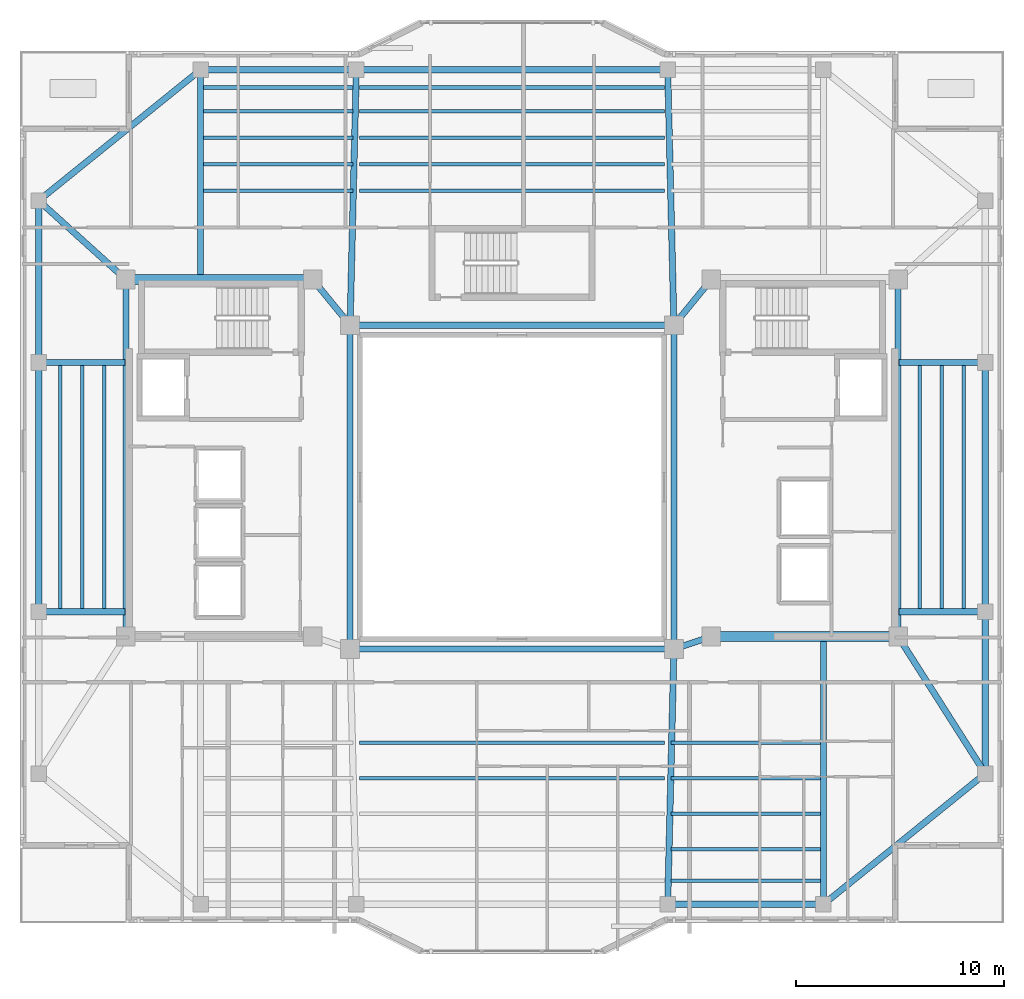
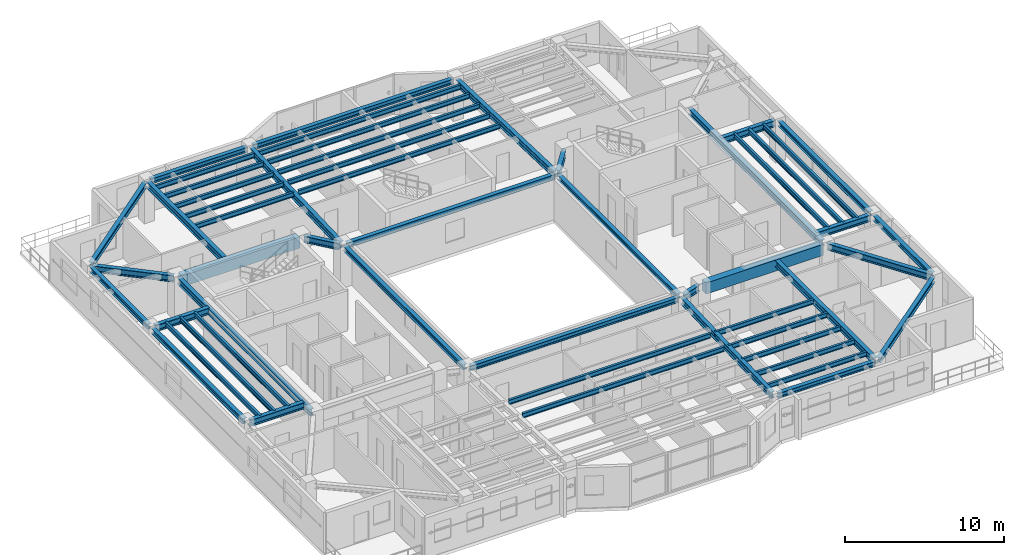
# One storey, part 3 of 15: 54 beams.
"""IFC4 building model written with IfcOpenShell, lengths in metres."""

from ifc_helpers import new_model, si_unit, direction, frame, origin, origin_2d, place, context, subcontext, project, spatial, rectangle, i_section, extrude, material, material_profile, profile_set, type_object, element, save


model = new_model("IFC4")

# Units and contexts
model_context = context("Model", 3, precision=1e-05, world=origin(), true_north=direction((0.0, 1.0)))
body_context = subcontext(model_context, "Body", "Model", "MODEL_VIEW")
ifc_project = project(units=[si_unit("LENGTHUNIT", "METRE"), si_unit("AREAUNIT", "SQUARE_METRE"), si_unit("VOLUMEUNIT", "CUBIC_METRE"), si_unit("PLANEANGLEUNIT", "RADIAN"), si_unit("MASSUNIT", "GRAM", prefix="KILO")], contexts=[model_context])

# Site, building, storey
site_placement = place(None, origin())
site = spatial("IfcSite", under=ifc_project, at=site_placement, CompositionType="ELEMENT")
building_placement = place(site_placement, origin())
building = spatial("IfcBuilding", under=site, at=building_placement, Name="Tarnavaz Court Tower", CompositionType="ELEMENT")
storey_placement = place(building_placement, frame((0.0, 0.0, 186.89990234375)))
storey = spatial("IfcBuildingStorey", under=building, at=storey_placement, Name="L50", CompositionType="ELEMENT", Elevation=186.89990234375)

# Beams
ifc_material_1 = material(Name="Concrete C50/60", Category="concrete")
ifc_material_profile_1 = material_profile(ifc_material_1, rectangle(XDim=0.5, YDim=0.85009765625, at=origin_2d()), Name="RC 500X850")
ifc_profile_set_1 = profile_set([ifc_material_profile_1], Name="Concrete C50/60")
beam_type_1 = type_object("IfcBeamType", Name="BM-CB850", PredefinedType="LINTEL", material=ifc_profile_set_1)
for number, where, z_axis, x_axis, name in (
    (1, (-18.3798828125, 10.0, 2.675048828125), (1.0, 0.0, 0.0), (0.0, 1.0, 0.0), "L50 Beam IN-CW-NO-CW-NI"),
    (2, (18.3798828125, -7.199951171875, 2.675048828125), (-1.0, 0.0, 0.0), (0.0, -1.0, 0.0), "L50 Beam IN-CE-SO-CE-SI"),
):
    element("IfcBeam", number, at=place(storey_placement, frame(where, z_axis=z_axis, x_axis=x_axis)), inside=storey, type_object=beam_type_1, Name=name, PredefinedType="LINTEL", context=body_context, shape_type="SweptSolid", body=[
        extrude(rectangle(XDim=0.5, YDim=0.85009765625, at=origin_2d()), origin(), (0.0, 0.0, 1.0), 8.559814453125),
    ])
ifc_material_2 = material(Name="Steel S355", Category="steel")
ifc_material_profile_2 = material_profile(ifc_material_2, i_section(OverallWidth=0.300048828125, OverallDepth=0.5, WebThickness=0.014404296875, FlangeThickness=0.028076171875, FilletRadius=0.027099609375, at=origin_2d()), Name="HEB 500")
ifc_profile_set_2 = profile_set([ifc_material_profile_2], Name="Steel S355")
beam_type_2 = type_object("IfcBeamType", Name="BM-G-HEB500", PredefinedType="USERDEFINED", material=ifc_profile_set_2)
beam_1_placement = place(storey_placement, frame((9.391357421875, -7.26953125, 2.85009765625), z_axis=(-0.948666544706, -0.316278021615, 0.0), x_axis=(0.316278021615, -0.948666544706, 0.0)))
element("IfcBeam", 3, at=beam_1_placement, inside=storey, type_object=beam_type_2, Name="L50 Beam IN-CE-SI-IW-SE", ObjectType="GIRDER", PredefinedType="USERDEFINED", context=body_context, shape_type="SweptSolid", body=[
    extrude(i_section(OverallWidth=0.300048828125, OverallDepth=0.5, WebThickness=0.014404296875, FlangeThickness=0.028076171875, FilletRadius=0.027099609375, at=origin_2d()), origin(), (0.0, 0.0, 1.0), 1.457275390625),
])
for number, where, z_axis, x_axis, name in (
    (4, (-9.460693359375, 9.82958984375, 2.85009765625), (0.633282058357, -0.773921077735, 0.0), (0.773921077735, 0.633282058357, 0.0), "L50 Beam IN-CW-NI-IW-NW"),
    (5, (9.460693359375, 9.82958984375, 2.85009765625), (-0.633282058357, -0.773921077735, 0.0), (0.773921077735, -0.633282058357, 0.0), "L50 Beam IN-CE-NI-IW-NE"),
):
    element("IfcBeam", number, at=place(storey_placement, frame(where, z_axis=z_axis, x_axis=x_axis)), inside=storey, type_object=beam_type_2, Name=name, ObjectType="GIRDER", PredefinedType="USERDEFINED", context=body_context, shape_type="SweptSolid", body=[
        extrude(i_section(OverallWidth=0.300048828125, OverallDepth=0.5, WebThickness=0.014404296875, FlangeThickness=0.028076171875, FilletRadius=0.027099609375, at=origin_2d()), origin(), (0.0, 0.0, 1.0), 2.402587890625),
    ])
for number, where, z_axis, x_axis, name in (
    (6, (-18.60009765625, -6.97998046875, 2.85009765625), (0.0, 1.0, 0.0), (-1.0, 0.0, 0.0), "L50 Beam IN-CW-SO-CW-NO"),
    (7, (18.60009765625, -6.97998046875, 2.85009765625), (0.0, 1.0, 0.0), (-1.0, 0.0, 0.0), "L50 Beam IN-CE-SO-CE-NO"),
):
    element("IfcBeam", number, at=place(storey_placement, frame(where, z_axis=z_axis, x_axis=x_axis)), inside=storey, type_object=beam_type_2, Name=name, ObjectType="GIRDER", PredefinedType="USERDEFINED", context=body_context, shape_type="SweptSolid", body=[
        extrude(i_section(OverallWidth=0.300048828125, OverallDepth=0.5, WebThickness=0.014404296875, FlangeThickness=0.028076171875, FilletRadius=0.027099609375, at=origin_2d()), origin(), (0.0, 0.0, 1.0), 16.760009765625),
    ])
beam_2_placement = place(storey_placement, frame((-15.0, 10.0400390625, 2.85009765625), z_axis=(0.0, 1.0, 0.0), x_axis=(-1.0, 0.0, 0.0)))
element("IfcBeam", 8, at=beam_2_placement, inside=storey, type_object=beam_type_2, Name="L50 Beam RG-01", ObjectType="GIRDER", PredefinedType="USERDEFINED", context=body_context, shape_type="SweptSolid", body=[
    extrude(i_section(OverallWidth=0.300048828125, OverallDepth=0.5, WebThickness=0.014404296875, FlangeThickness=0.028076171875, FilletRadius=0.027099609375, at=origin_2d()), origin(), (0.0, 0.0, 1.0), 9.83984375),
])
for number, where, z_axis, x_axis, name in (
    (9, (-7.794677734375, 8.02001953125, 2.85009765625), (0.024386002211, 0.99970261723, 0.0), (-0.99970261723, 0.024386002211, 0.0), "L50 Beam RG-02"),
    (10, (7.794677734375, 8.02001953125, 2.85009765625), (-0.024386002211, 0.99970261723, 0.0), (-0.99970261723, -0.024386002211, 0.0), "L50 Beam RG-03"),
    (11, (7.794677734375, -8.02001953125, 2.85009765625), (-0.024386002211, -0.99970261723, 0.0), (0.99970261723, -0.024386002211, 0.0), "L50 Beam RG-07"),
):
    element("IfcBeam", number, at=place(storey_placement, frame(where, z_axis=z_axis, x_axis=x_axis)), inside=storey, type_object=beam_type_2, Name=name, ObjectType="GIRDER", PredefinedType="USERDEFINED", context=body_context, shape_type="SweptSolid", body=[
        extrude(i_section(OverallWidth=0.300048828125, OverallDepth=0.5, WebThickness=0.014404296875, FlangeThickness=0.028076171875, FilletRadius=0.027099609375, at=origin_2d()), origin(), (0.0, 0.0, 1.0), 11.863525390625),
    ])
beam_3_placement = place(storey_placement, frame((15.0, -7.239990234375, 2.85009765625), z_axis=(0.0, -1.0, 0.0), x_axis=(1.0, 0.0, 0.0)))
element("IfcBeam", 12, at=beam_3_placement, inside=storey, type_object=beam_type_2, Name="L50 Beam RG-08", ObjectType="GIRDER", PredefinedType="USERDEFINED", context=body_context, shape_type="SweptSolid", body=[
    extrude(i_section(OverallWidth=0.300048828125, OverallDepth=0.5, WebThickness=0.014404296875, FlangeThickness=0.028076171875, FilletRadius=0.027099609375, at=origin_2d()), origin(), (0.0, 0.0, 1.0), 12.639892578125),
])
for number, where, z_axis, x_axis, name in (
    (13, (18.639892578125, -6.0, 2.85009765625), (1.0, 0.0, 0.0), (0.0, 1.0, 0.0), "L50 Beam RG-09"),
    (14, (18.639892578125, 6.0, 2.85009765625), (1.0, 0.0, 0.0), (0.0, 1.0, 0.0), "L50 Beam RG-10"),
):
    element("IfcBeam", number, at=place(storey_placement, frame(where, z_axis=z_axis, x_axis=x_axis)), inside=storey, type_object=beam_type_2, Name=name, ObjectType="GIRDER", PredefinedType="USERDEFINED", context=body_context, shape_type="SweptSolid", body=[
        extrude(i_section(OverallWidth=0.300048828125, OverallDepth=0.5, WebThickness=0.014404296875, FlangeThickness=0.028076171875, FilletRadius=0.027099609375, at=origin_2d()), origin(), (0.0, 0.0, 1.0), 3.940185546875),
    ])
beam_4_placement = place(storey_placement, frame((18.718017578125, -7.385498046875, 2.85009765625), z_axis=(0.536871212964, -0.843664210863, 0.0), x_axis=(0.843664210863, 0.536871212964, 0.0)))
element("IfcBeam", 15, at=beam_4_placement, inside=storey, type_object=beam_type_2, Name="L50 Beam RG-11", ObjectType="GIRDER", PredefinedType="USERDEFINED", context=body_context, shape_type="SweptSolid", body=[
    extrude(i_section(OverallWidth=0.300048828125, OverallDepth=0.5, WebThickness=0.014404296875, FlangeThickness=0.028076171875, FilletRadius=0.027099609375, at=origin_2d()), origin(), (0.0, 0.0, 1.0), 7.38330078125),
])
for number, where, z_axis, x_axis, name in (
    (16, (-18.639892578125, -6.0, 2.85009765625), (-1.0, 0.0, 0.0), (0.0, -1.0, 0.0), "L50 Beam RG-13"),
    (17, (-18.639892578125, 6.0, 2.85009765625), (-1.0, 0.0, 0.0), (0.0, -1.0, 0.0), "L50 Beam RG-14"),
):
    element("IfcBeam", number, at=place(storey_placement, frame(where, z_axis=z_axis, x_axis=x_axis)), inside=storey, type_object=beam_type_2, Name=name, ObjectType="GIRDER", PredefinedType="USERDEFINED", context=body_context, shape_type="SweptSolid", body=[
        extrude(i_section(OverallWidth=0.300048828125, OverallDepth=0.5, WebThickness=0.014404296875, FlangeThickness=0.028076171875, FilletRadius=0.027099609375, at=origin_2d()), origin(), (0.0, 0.0, 1.0), 3.940185546875),
    ])
beam_5_placement = place(storey_placement, frame((-18.76318359375, 10.147705078125, 2.85009765625), z_axis=(-0.741555708494, 0.670891296113, 0.0), x_axis=(-0.670891296113, -0.741555708494, 0.0)))
element("IfcBeam", 18, at=beam_5_placement, inside=storey, type_object=beam_type_2, Name="L50 Beam RG-16", ObjectType="GIRDER", PredefinedType="USERDEFINED", context=body_context, shape_type="SweptSolid", body=[
    extrude(i_section(OverallWidth=0.300048828125, OverallDepth=0.5, WebThickness=0.014404296875, FlangeThickness=0.028076171875, FilletRadius=0.027099609375, at=origin_2d()), origin(), (0.0, 0.0, 1.0), 5.223876953125),
])
ifc_material_profile_3 = material_profile(ifc_material_2, i_section(OverallWidth=0.169921875, OverallDepth=0.360107421875, WebThickness=0.008056640625, FlangeThickness=0.0126953125, FilletRadius=0.01806640625, at=origin_2d()), Name="IPE 360")
ifc_profile_set_3 = profile_set([ifc_material_profile_3], Name="Steel S355")
beam_type_3 = type_object("IfcBeamType", Name="BM-J-IPE360", PredefinedType="JOIST", material=ifc_profile_set_3)
beam_6_placement = place(storey_placement, frame((-14.85009765625, 14.278076171875, 2.920166015625), z_axis=(1.0, 0.0, 0.0), x_axis=(0.0, 1.0, 0.0)))
element("IfcBeam", 19, at=beam_6_placement, inside=storey, type_object=beam_type_3, Name="L50 Beam JN1-1", PredefinedType="JOIST", context=body_context, shape_type="SweptSolid", body=[
    extrude(i_section(OverallWidth=0.169921875, OverallDepth=0.360107421875, WebThickness=0.008056640625, FlangeThickness=0.0126953125, FilletRadius=0.01806640625, at=origin_2d()), origin(), (0.0, 0.0, 1.0), 7.2001953125),
])
for number, where, z_axis, x_axis, name in (
    (20, (-7.35009765625, 14.278076171875, 2.920166015625), (1.0, 0.0, 0.0), (0.0, 1.0, 0.0), "L50 Beam JN1-2"),
    (21, (-7.35009765625, -12.31005859375, 2.920166015625), (1.0, 0.0, 0.0), (0.0, 1.0, 0.0), "L50 Beam JS1-2"),
):
    element("IfcBeam", number, at=place(storey_placement, frame(where, z_axis=z_axis, x_axis=x_axis)), inside=storey, type_object=beam_type_3, Name=name, PredefinedType="JOIST", context=body_context, shape_type="SweptSolid", body=[
        extrude(i_section(OverallWidth=0.169921875, OverallDepth=0.360107421875, WebThickness=0.008056640625, FlangeThickness=0.0126953125, FilletRadius=0.01806640625, at=origin_2d()), origin(), (0.0, 0.0, 1.0), 14.7001953125),
    ])
for number, where, z_axis, x_axis, name in (
    (22, (7.64990234375, -12.31005859375, 2.920166015625), (1.0, 0.0, 0.0), (0.0, 1.0, 0.0), "L50 Beam JS1-3"),
    (23, (-14.85009765625, 15.555908203125, 2.920166015625), (1.0, 0.0, 0.0), (0.0, 1.0, 0.0), "L50 Beam JN2-1"),
):
    element("IfcBeam", number, at=place(storey_placement, frame(where, z_axis=z_axis, x_axis=x_axis)), inside=storey, type_object=beam_type_3, Name=name, PredefinedType="JOIST", context=body_context, shape_type="SweptSolid", body=[
        extrude(i_section(OverallWidth=0.169921875, OverallDepth=0.360107421875, WebThickness=0.008056640625, FlangeThickness=0.0126953125, FilletRadius=0.01806640625, at=origin_2d()), origin(), (0.0, 0.0, 1.0), 7.2001953125),
    ])
for number, where, z_axis, x_axis, name in (
    (24, (-7.35009765625, 15.555908203125, 2.920166015625), (1.0, 0.0, 0.0), (0.0, 1.0, 0.0), "L50 Beam JN2-2"),
    (25, (-7.35009765625, -14.02001953125, 2.920166015625), (1.0, 0.0, 0.0), (0.0, 1.0, 0.0), "L50 Beam JS2-2"),
):
    element("IfcBeam", number, at=place(storey_placement, frame(where, z_axis=z_axis, x_axis=x_axis)), inside=storey, type_object=beam_type_3, Name=name, PredefinedType="JOIST", context=body_context, shape_type="SweptSolid", body=[
        extrude(i_section(OverallWidth=0.169921875, OverallDepth=0.360107421875, WebThickness=0.008056640625, FlangeThickness=0.0126953125, FilletRadius=0.01806640625, at=origin_2d()), origin(), (0.0, 0.0, 1.0), 14.7001953125),
    ])
for number, where, z_axis, x_axis, name in (
    (26, (7.64990234375, -14.02001953125, 2.920166015625), (1.0, 0.0, 0.0), (0.0, 1.0, 0.0), "L50 Beam JS2-3"),
    (27, (-14.85009765625, 16.833984375, 2.920166015625), (1.0, 0.0, 0.0), (0.0, 1.0, 0.0), "L50 Beam JN3-1"),
):
    element("IfcBeam", number, at=place(storey_placement, frame(where, z_axis=z_axis, x_axis=x_axis)), inside=storey, type_object=beam_type_3, Name=name, PredefinedType="JOIST", context=body_context, shape_type="SweptSolid", body=[
        extrude(i_section(OverallWidth=0.169921875, OverallDepth=0.360107421875, WebThickness=0.008056640625, FlangeThickness=0.0126953125, FilletRadius=0.01806640625, at=origin_2d()), origin(), (0.0, 0.0, 1.0), 7.2001953125),
    ])
beam_7_placement = place(storey_placement, frame((-7.35009765625, 16.833984375, 2.920166015625), z_axis=(1.0, 0.0, 0.0), x_axis=(0.0, 1.0, 0.0)))
element("IfcBeam", 28, at=beam_7_placement, inside=storey, type_object=beam_type_3, Name="L50 Beam JN3-2", PredefinedType="JOIST", context=body_context, shape_type="SweptSolid", body=[
    extrude(i_section(OverallWidth=0.169921875, OverallDepth=0.360107421875, WebThickness=0.008056640625, FlangeThickness=0.0126953125, FilletRadius=0.01806640625, at=origin_2d()), origin(), (0.0, 0.0, 1.0), 14.7001953125),
])
for number, where, z_axis, x_axis, name in (
    (29, (7.64990234375, -15.72998046875, 2.920166015625), (1.0, 0.0, 0.0), (0.0, 1.0, 0.0), "L50 Beam JS3-3"),
    (30, (-14.85009765625, 18.112060546875, 2.920166015625), (1.0, 0.0, 0.0), (0.0, 1.0, 0.0), "L50 Beam JN4-1"),
):
    element("IfcBeam", number, at=place(storey_placement, frame(where, z_axis=z_axis, x_axis=x_axis)), inside=storey, type_object=beam_type_3, Name=name, PredefinedType="JOIST", context=body_context, shape_type="SweptSolid", body=[
        extrude(i_section(OverallWidth=0.169921875, OverallDepth=0.360107421875, WebThickness=0.008056640625, FlangeThickness=0.0126953125, FilletRadius=0.01806640625, at=origin_2d()), origin(), (0.0, 0.0, 1.0), 7.2001953125),
    ])
beam_8_placement = place(storey_placement, frame((-7.35009765625, 18.112060546875, 2.920166015625), z_axis=(1.0, 0.0, 0.0), x_axis=(0.0, 1.0, 0.0)))
element("IfcBeam", 31, at=beam_8_placement, inside=storey, type_object=beam_type_3, Name="L50 Beam JN4-2", PredefinedType="JOIST", context=body_context, shape_type="SweptSolid", body=[
    extrude(i_section(OverallWidth=0.169921875, OverallDepth=0.360107421875, WebThickness=0.008056640625, FlangeThickness=0.0126953125, FilletRadius=0.01806640625, at=origin_2d()), origin(), (0.0, 0.0, 1.0), 14.7001953125),
])
for number, where, z_axis, x_axis, name in (
    (32, (7.64990234375, -17.43994140625, 2.920166015625), (1.0, 0.0, 0.0), (0.0, 1.0, 0.0), "L50 Beam JS4-3"),
    (33, (-14.85009765625, 19.248046875, 2.920166015625), (1.0, 0.0, 0.0), (0.0, 1.0, 0.0), "L50 Beam JN5-1"),
):
    element("IfcBeam", number, at=place(storey_placement, frame(where, z_axis=z_axis, x_axis=x_axis)), inside=storey, type_object=beam_type_3, Name=name, PredefinedType="JOIST", context=body_context, shape_type="SweptSolid", body=[
        extrude(i_section(OverallWidth=0.169921875, OverallDepth=0.360107421875, WebThickness=0.008056640625, FlangeThickness=0.0126953125, FilletRadius=0.01806640625, at=origin_2d()), origin(), (0.0, 0.0, 1.0), 7.2001953125),
    ])
beam_9_placement = place(storey_placement, frame((-7.35009765625, 19.248046875, 2.920166015625), z_axis=(1.0, 0.0, 0.0), x_axis=(0.0, 1.0, 0.0)))
element("IfcBeam", 34, at=beam_9_placement, inside=storey, type_object=beam_type_3, Name="L50 Beam JN5-2", PredefinedType="JOIST", context=body_context, shape_type="SweptSolid", body=[
    extrude(i_section(OverallWidth=0.169921875, OverallDepth=0.360107421875, WebThickness=0.008056640625, FlangeThickness=0.0126953125, FilletRadius=0.01806640625, at=origin_2d()), origin(), (0.0, 0.0, 1.0), 14.7001953125),
])
beam_10_placement = place(storey_placement, frame((7.64990234375, -18.9599609375, 2.920166015625), z_axis=(1.0, 0.0, 0.0), x_axis=(0.0, 1.0, 0.0)))
element("IfcBeam", 35, at=beam_10_placement, inside=storey, type_object=beam_type_3, Name="L50 Beam JS5-3", PredefinedType="JOIST", context=body_context, shape_type="SweptSolid", body=[
    extrude(i_section(OverallWidth=0.169921875, OverallDepth=0.360107421875, WebThickness=0.008056640625, FlangeThickness=0.0126953125, FilletRadius=0.01806640625, at=origin_2d()), origin(), (0.0, 0.0, 1.0), 7.2001953125),
])
for number, where, z_axis, x_axis, name in (
    (36, (19.64990234375, -5.9599609375, 2.920166015625), (0.0, 1.0, 0.0), (-1.0, 0.0, 0.0), "L50 Beam JE1"),
    (37, (-19.64990234375, -5.9599609375, 2.920166015625), (0.0, 1.0, 0.0), (-1.0, 0.0, 0.0), "L50 Beam JW1"),
    (38, (20.699951171875, -5.9599609375, 2.920166015625), (0.0, 1.0, 0.0), (-1.0, 0.0, 0.0), "L50 Beam JE2"),
    (39, (-20.699951171875, -5.9599609375, 2.920166015625), (0.0, 1.0, 0.0), (-1.0, 0.0, 0.0), "L50 Beam JW2"),
    (40, (21.75, -5.9599609375, 2.920166015625), (0.0, 1.0, 0.0), (-1.0, 0.0, 0.0), "L50 Beam JE3"),
    (41, (-21.75, -5.9599609375, 2.920166015625), (0.0, 1.0, 0.0), (-1.0, 0.0, 0.0), "L50 Beam JW3"),
):
    element("IfcBeam", number, at=place(storey_placement, frame(where, z_axis=z_axis, x_axis=x_axis)), inside=storey, type_object=beam_type_3, Name=name, PredefinedType="JOIST", context=body_context, shape_type="SweptSolid", body=[
        extrude(i_section(OverallWidth=0.169921875, OverallDepth=0.360107421875, WebThickness=0.008056640625, FlangeThickness=0.0126953125, FilletRadius=0.01806640625, at=origin_2d()), origin(), (0.0, 0.0, 1.0), 11.919921875),
    ])
ifc_material_profile_4 = material_profile(ifc_material_2, i_section(OverallWidth=0.300048828125, OverallDepth=0.389892578125, WebThickness=0.010986328125, FlangeThickness=0.01904296875, FilletRadius=0.027099609375, at=origin_2d()), Name="HEA 400")
ifc_profile_set_4 = profile_set([ifc_material_profile_4], Name="Steel S355")
beam_type_4 = type_object("IfcBeamType", Name="BM-SP-HEA400", PredefinedType="BEAM", material=ifc_profile_set_4)
for number, where, z_axis, x_axis, name in (
    (42, (-7.580078125, -7.800048828125, 2.905029296875), (1.0, 0.0, 0.0), (0.0, 1.0, 0.0), "L50 Beam IN-IW-SW-IW-SE"),
    (43, (-7.580078125, 7.800048828125, 2.905029296875), (1.0, 0.0, 0.0), (0.0, 1.0, 0.0), "L50 Beam IN-IW-NW-IW-NE"),
    (44, (-7.800048828125, -7.580078125, 2.905029296875), (0.0, 1.0, 0.0), (-1.0, 0.0, 0.0), "L50 Beam IN-IW-SW-IW-NW"),
    (45, (7.800048828125, -7.580078125, 2.905029296875), (0.0, 1.0, 0.0), (-1.0, 0.0, 0.0), "L50 Beam IN-IW-SE-IW-NE"),
):
    element("IfcBeam", number, at=place(storey_placement, frame(where, z_axis=z_axis, x_axis=x_axis)), inside=storey, type_object=beam_type_4, Name=name, PredefinedType="BEAM", context=body_context, shape_type="SweptSolid", body=[
        extrude(i_section(OverallWidth=0.300048828125, OverallDepth=0.389892578125, WebThickness=0.010986328125, FlangeThickness=0.01904296875, FilletRadius=0.027099609375, at=origin_2d()), origin(), (0.0, 0.0, 1.0), 15.16015625),
    ])
beam_11_placement = place(storey_placement, frame((-14.780029296875, 20.10009765625, 2.905029296875), z_axis=(1.0, 0.0, 0.0), x_axis=(0.0, 1.0, 0.0)))
element("IfcBeam", 46, at=beam_11_placement, inside=storey, type_object=beam_type_4, Name="L50 Beam PR-PN-1-PN-2", PredefinedType="BEAM", context=body_context, shape_type="SweptSolid", body=[
    extrude(i_section(OverallWidth=0.300048828125, OverallDepth=0.389892578125, WebThickness=0.010986328125, FlangeThickness=0.01904296875, FilletRadius=0.027099609375, at=origin_2d()), origin(), (0.0, 0.0, 1.0), 7.06005859375),
])
beam_12_placement = place(storey_placement, frame((-7.280029296875, 20.10009765625, 2.905029296875), z_axis=(1.0, 0.0, 0.0), x_axis=(0.0, 1.0, 0.0)))
element("IfcBeam", 47, at=beam_12_placement, inside=storey, type_object=beam_type_4, Name="L50 Beam PR-PN-2-PN-3", PredefinedType="BEAM", context=body_context, shape_type="SweptSolid", body=[
    extrude(i_section(OverallWidth=0.300048828125, OverallDepth=0.389892578125, WebThickness=0.010986328125, FlangeThickness=0.01904296875, FilletRadius=0.027099609375, at=origin_2d()), origin(), (0.0, 0.0, 1.0), 14.56005859375),
])
beam_13_placement = place(storey_placement, frame((7.719970703125, -20.10009765625, 2.905029296875), z_axis=(1.0, 0.0, 0.0), x_axis=(0.0, 1.0, 0.0)))
element("IfcBeam", 48, at=beam_13_placement, inside=storey, type_object=beam_type_4, Name="L50 Beam PR-PS-3-PS-4", PredefinedType="BEAM", context=body_context, shape_type="SweptSolid", body=[
    extrude(i_section(OverallWidth=0.300048828125, OverallDepth=0.389892578125, WebThickness=0.010986328125, FlangeThickness=0.01904296875, FilletRadius=0.027099609375, at=origin_2d()), origin(), (0.0, 0.0, 1.0), 7.06005859375),
])
beam_14_placement = place(storey_placement, frame((22.800048828125, -13.580078125, 2.905029296875), z_axis=(0.0, 1.0, 0.0), x_axis=(-1.0, 0.0, 0.0)))
element("IfcBeam", 49, at=beam_14_placement, inside=storey, type_object=beam_type_4, Name="L50 Beam PR-PE-1-PE-2", PredefinedType="BEAM", context=body_context, shape_type="SweptSolid", body=[
    extrude(i_section(OverallWidth=0.300048828125, OverallDepth=0.389892578125, WebThickness=0.010986328125, FlangeThickness=0.01904296875, FilletRadius=0.027099609375, at=origin_2d()), origin(), (0.0, 0.0, 1.0), 7.360107421875),
])
for number, where, z_axis, x_axis, name in (
    (50, (22.800048828125, -5.780029296875, 2.905029296875), (0.0, 1.0, 0.0), (-1.0, 0.0, 0.0), "L50 Beam PR-PE-2-PE-3"),
    (51, (-22.800048828125, -5.780029296875, 2.905029296875), (0.0, 1.0, 0.0), (-1.0, 0.0, 0.0), "L50 Beam PR-PW-2-PW-3"),
):
    element("IfcBeam", number, at=place(storey_placement, frame(where, z_axis=z_axis, x_axis=x_axis)), inside=storey, type_object=beam_type_4, Name=name, PredefinedType="BEAM", context=body_context, shape_type="SweptSolid", body=[
        extrude(i_section(OverallWidth=0.300048828125, OverallDepth=0.389892578125, WebThickness=0.010986328125, FlangeThickness=0.01904296875, FilletRadius=0.027099609375, at=origin_2d()), origin(), (0.0, 0.0, 1.0), 11.56005859375),
    ])
beam_15_placement = place(storey_placement, frame((-22.800048828125, 6.219970703125, 2.905029296875), z_axis=(0.0, 1.0, 0.0), x_axis=(-1.0, 0.0, 0.0)))
element("IfcBeam", 52, at=beam_15_placement, inside=storey, type_object=beam_type_4, Name="L50 Beam PR-PW-3-PW-4", PredefinedType="BEAM", context=body_context, shape_type="SweptSolid", body=[
    extrude(i_section(OverallWidth=0.300048828125, OverallDepth=0.389892578125, WebThickness=0.010986328125, FlangeThickness=0.01904296875, FilletRadius=0.027099609375, at=origin_2d()), origin(), (0.0, 0.0, 1.0), 7.360107421875),
])
for number, where, z_axis, x_axis, name in (
    (53, (22.62890625, -13.938232421875, 2.905029296875), (-0.777935913531, -0.628343627674, 0.0), (0.628343627674, -0.777935913531, 0.0), "L50 Beam PR-PE-1-PS-4"),
    (54, (-22.62890625, 13.938232421875, 2.905029296875), (0.777935913531, 0.628343627674, 0.0), (-0.628343627674, 0.777935913531, 0.0), "L50 Beam PR-PW-4-PN-1"),
):
    element("IfcBeam", number, at=place(storey_placement, frame(where, z_axis=z_axis, x_axis=x_axis)), inside=storey, type_object=beam_type_4, Name=name, PredefinedType="BEAM", context=body_context, shape_type="SweptSolid", body=[
        extrude(i_section(OverallWidth=0.300048828125, OverallDepth=0.389892578125, WebThickness=0.010986328125, FlangeThickness=0.01904296875, FilletRadius=0.027099609375, at=origin_2d()), origin(), (0.0, 0.0, 1.0), 9.586669921875),
    ])

save(model, "model.ifc")
